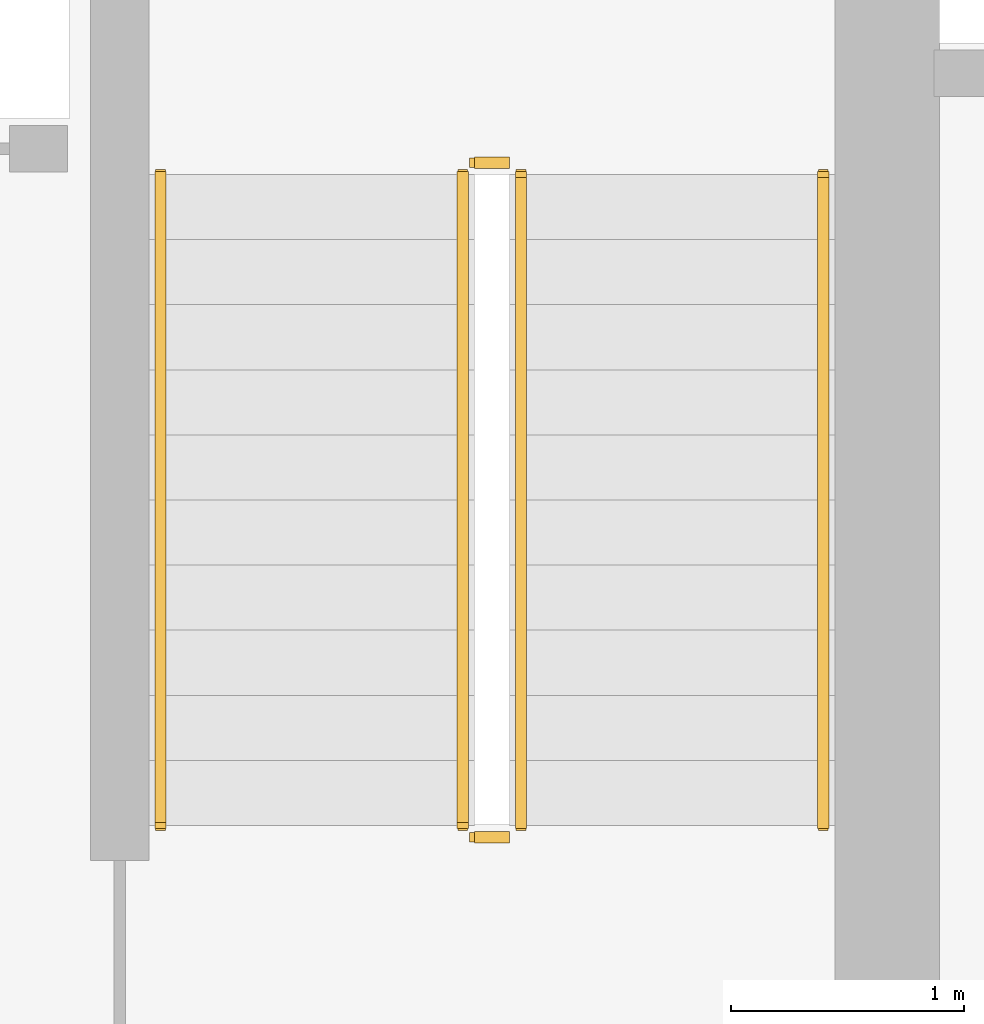
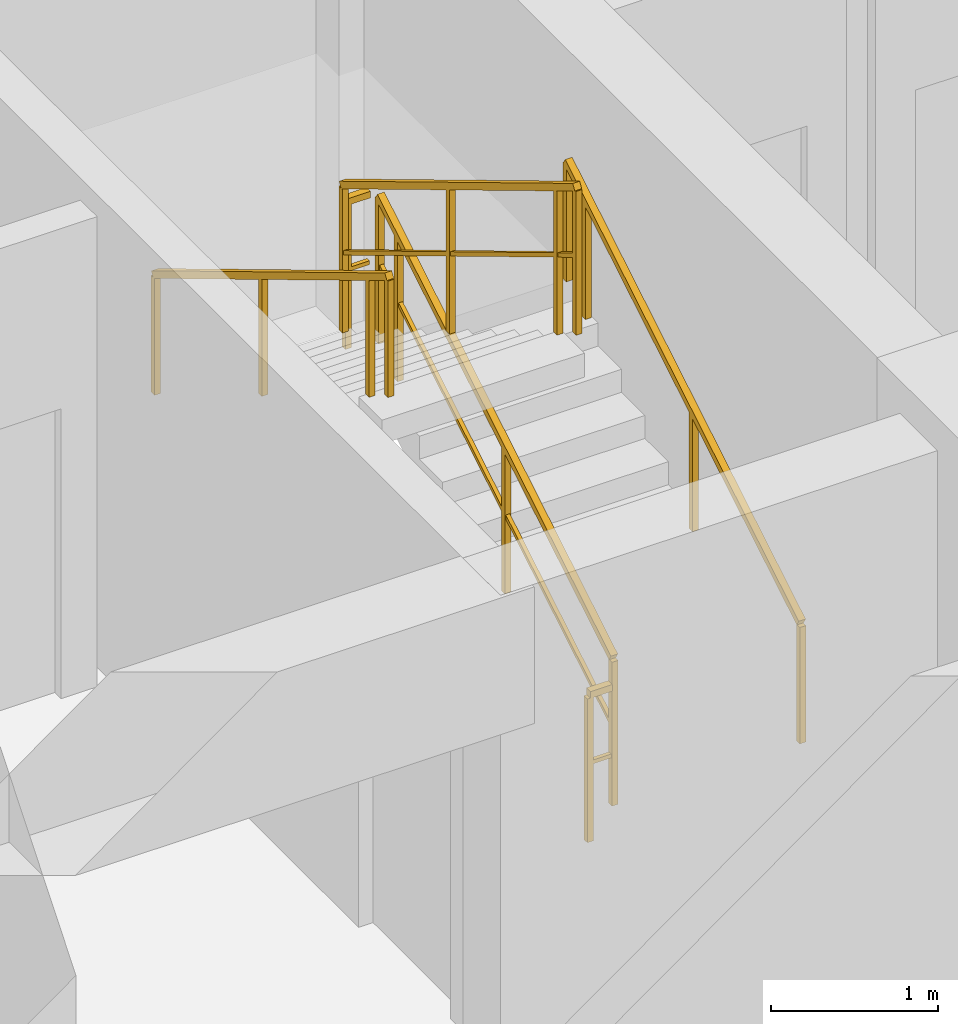
# One storey, part 12 of 13: 6 railings.
"""IFC4 building model written with IfcOpenShell, lengths in metres."""

from ifc_helpers import new_model, si_unit, direction, frame, origin, origin_2d, place, context, subcontext, project, spatial, rectangle, extrude, material, type_object, element, save


model = new_model("IFC4")

# Units and contexts
model_context = context("Model", 3, precision=1e-05, world=origin(), true_north=direction((0.0, 1.0)))
body_context = subcontext(model_context, "Body", "Model", "MODEL_VIEW")
ifc_project = project(units=[si_unit("LENGTHUNIT", "METRE"), si_unit("AREAUNIT", "SQUARE_METRE"), si_unit("VOLUMEUNIT", "CUBIC_METRE"), si_unit("PLANEANGLEUNIT", "RADIAN"), si_unit("MASSUNIT", "GRAM", prefix="KILO")], contexts=[model_context])

# Site, building, storey
site_placement = place(None, origin())
site = spatial("IfcSite", under=ifc_project, at=site_placement, CompositionType="ELEMENT")
building_placement = place(site_placement, origin())
building = spatial("IfcBuilding", under=site, at=building_placement, Name="Kaliganga Portal Commons", CompositionType="ELEMENT")
storey_placement = place(building_placement, frame((0.0, 0.0, 158.699951171875)))
storey = spatial("IfcBuildingStorey", under=building, at=storey_placement, Name="L40", CompositionType="ELEMENT", Elevation=158.699951171875)

# Railings
ifc_material_1 = material(Name="Galvanized Painted Steel Balustrade", Category="steel")
railing_type_1 = type_object("IfcRailingType", Name="RLG-STAIR-GRD", PredefinedType="GUARDRAIL", material=ifc_material_1)
railing_1_placement = place(storey_placement, frame((48.699951171875, 8.699951171875, 0.168212890625)))
element("IfcRailing", 1, at=railing_1_placement, inside=storey, type_object=railing_type_1, Name="L40 ST-B2 stair guard 1", PredefinedType="GUARDRAIL", context=body_context, shape_type="SweptSolid", body=[
    extrude(rectangle(XDim=0.048095703125, YDim=0.048095703125, at=origin_2d()), frame((0.0, 0.0, 1.072021484375), z_axis=(0.0, 0.857242210791, 0.514913383045), x_axis=(-1.0, 0.0, 0.0)), (0.0, 0.0, 1.0), 3.266357421875),
    extrude(rectangle(XDim=0.028076171875, YDim=0.028076171875, at=origin_2d()), frame((0.0, 0.0, 0.572021484375), z_axis=(0.0, 0.857242210791, 0.514913383045), x_axis=(-1.0, 0.0, 0.0)), (0.0, 0.0, 1.0), 3.266357421875),
    extrude(rectangle(XDim=0.0419921875, YDim=0.0419921875, at=origin_2d()), origin(), (0.0, 0.0, 1.0), 1.052001953125),
    extrude(rectangle(XDim=0.0419921875, YDim=0.0419921875, at=origin_2d()), frame((0.0, 1.285888671875, 0.7724609375)), (0.0, 0.0, 1.0), 1.052001953125),
    extrude(rectangle(XDim=0.0419921875, YDim=0.0419921875, at=origin_2d()), frame((0.0, 2.57177734375, 1.544677734375)), (0.0, 0.0, 1.0), 1.052001953125),
    extrude(rectangle(XDim=0.0419921875, YDim=0.0419921875, at=origin_2d()), frame((0.0, 2.800048828125, 1.681884765625)), (0.0, 0.0, 1.0), 1.052001953125),
])
railing_2_placement = place(storey_placement, frame((48.64990234375, 11.550048828125, 1.85009765625)))
element("IfcRailing", 2, at=railing_2_placement, inside=storey, type_object=railing_type_1, Name="L40 ST-B2 stair guard 2", PredefinedType="GUARDRAIL", context=body_context, shape_type="SweptSolid", body=[
    extrude(rectangle(XDim=0.048095703125, YDim=0.048095703125, at=origin_2d()), frame((0.0, 0.0, 1.076171875), z_axis=(-1.0, 0.0, 0.0), x_axis=(0.0, -1.0, 0.0)), (0.0, 0.0, 1.0), 0.14990234375),
    extrude(rectangle(XDim=0.028076171875, YDim=0.028076171875, at=origin_2d()), frame((0.0, 0.0, 0.572021484375), z_axis=(-1.0, 0.0, 0.0), x_axis=(0.0, -1.0, 0.0)), (0.0, 0.0, 1.0), 0.14990234375),
    extrude(rectangle(XDim=0.0419921875, YDim=0.0419921875, at=origin_2d()), frame((-0.14990234375, 0.0, 0.0)), (0.0, 0.0, 1.0), 1.052001953125),
])
railing_3_placement = place(storey_placement, frame((48.449951171875, 11.5, 2.018310546875)))
element("IfcRailing", 3, at=railing_3_placement, inside=storey, type_object=railing_type_1, Name="L40 ST-B2 stair guard 3", PredefinedType="GUARDRAIL", context=body_context, shape_type="SweptSolid", body=[
    extrude(rectangle(XDim=0.048095703125, YDim=0.048095703125, at=origin_2d()), frame((0.0, 0.0, 1.072021484375), z_axis=(0.0, -0.857275202839, 0.514858452973), x_axis=(1.0, 0.0, 0.0)), (0.0, 0.0, 1.0), 3.26611328125),
    extrude(rectangle(XDim=0.028076171875, YDim=0.028076171875, at=origin_2d()), frame((0.0, 0.0, 0.572021484375), z_axis=(0.0, -0.857275202839, 0.514858452973), x_axis=(1.0, 0.0, 0.0)), (0.0, 0.0, 1.0), 3.26611328125),
    extrude(rectangle(XDim=0.0419921875, YDim=0.0419921875, at=origin_2d()), origin(), (0.0, 0.0, 1.0), 1.052001953125),
    extrude(rectangle(XDim=0.0419921875, YDim=0.0419921875, at=origin_2d()), frame((0.0, -1.285888671875, 0.772216796875)), (0.0, 0.0, 1.0), 1.052001953125),
    extrude(rectangle(XDim=0.0419921875, YDim=0.0419921875, at=origin_2d()), frame((0.0, -2.57177734375, 1.544677734375)), (0.0, 0.0, 1.0), 1.052001953125),
    extrude(rectangle(XDim=0.0419921875, YDim=0.0419921875, at=origin_2d()), frame((0.0, -2.800048828125, 1.681640625)), (0.0, 0.0, 1.0), 1.052001953125),
])
railing_4_placement = place(storey_placement, frame((48.64990234375, 8.64990234375, 0.0)))
element("IfcRailing", 4, at=railing_4_placement, inside=storey, type_object=railing_type_1, Name="L40 ST-B2 stair guard 4", PredefinedType="GUARDRAIL", context=body_context, shape_type="SweptSolid", body=[
    extrude(rectangle(XDim=0.048095703125, YDim=0.048095703125, at=origin_2d()), frame((0.0, 0.0, 1.076171875), z_axis=(-1.0, 0.0, 0.0), x_axis=(0.0, -1.0, 0.0)), (0.0, 0.0, 1.0), 0.14990234375),
    extrude(rectangle(XDim=0.028076171875, YDim=0.028076171875, at=origin_2d()), frame((0.0, 0.0, 0.572021484375), z_axis=(-1.0, 0.0, 0.0), x_axis=(0.0, -1.0, 0.0)), (0.0, 0.0, 1.0), 0.14990234375),
    extrude(rectangle(XDim=0.0419921875, YDim=0.0419921875, at=origin_2d()), frame((-0.14990234375, 0.0, 0.0)), (0.0, 0.0, 1.0), 1.052001953125),
])
ifc_material_2 = material(Name="Brushed Stainless Steel 316", Category="steel")
railing_type_2 = type_object("IfcRailingType", Name="RLG-STAIR-HR", PredefinedType="HANDRAIL", material=ifc_material_2)
railing_5_placement = place(storey_placement, frame((50.0, 8.699951171875, 0.168212890625)))
element("IfcRailing", 5, at=railing_5_placement, inside=storey, type_object=railing_type_2, Name="L40 ST-B2 stair handrail 1", PredefinedType="HANDRAIL", context=body_context, shape_type="SweptSolid", body=[
    extrude(rectangle(XDim=0.048095703125, YDim=0.048095703125, at=origin_2d()), frame((0.0, 0.0, 0.871826171875), z_axis=(0.0, 0.857242210791, 0.514913383045), x_axis=(-1.0, 0.0, 0.0)), (0.0, 0.0, 1.0), 3.266357421875),
    extrude(rectangle(XDim=0.0419921875, YDim=0.0419921875, at=origin_2d()), origin(), (0.0, 0.0, 1.0), 0.851806640625),
    extrude(rectangle(XDim=0.0419921875, YDim=0.0419921875, at=origin_2d()), frame((0.0, 1.285888671875, 0.7724609375)), (0.0, 0.0, 1.0), 0.851806640625),
    extrude(rectangle(XDim=0.0419921875, YDim=0.0419921875, at=origin_2d()), frame((0.0, 2.57177734375, 1.544677734375)), (0.0, 0.0, 1.0), 0.851806640625),
    extrude(rectangle(XDim=0.0419921875, YDim=0.0419921875, at=origin_2d()), frame((0.0, 2.800048828125, 1.681884765625)), (0.0, 0.0, 1.0), 0.851806640625),
])
railing_6_placement = place(storey_placement, frame((47.14990234375, 11.5, 2.018310546875)))
element("IfcRailing", 6, at=railing_6_placement, inside=storey, type_object=railing_type_2, Name="L40 ST-B2 stair handrail 2", PredefinedType="HANDRAIL", context=body_context, shape_type="SweptSolid", body=[
    extrude(rectangle(XDim=0.048095703125, YDim=0.048095703125, at=origin_2d()), frame((0.0, 0.0, 0.871826171875), z_axis=(0.0, -0.857275202839, 0.514858452973), x_axis=(1.0, 0.0, 0.0)), (0.0, 0.0, 1.0), 3.26611328125),
    extrude(rectangle(XDim=0.0419921875, YDim=0.0419921875, at=origin_2d()), origin(), (0.0, 0.0, 1.0), 0.851806640625),
    extrude(rectangle(XDim=0.0419921875, YDim=0.0419921875, at=origin_2d()), frame((0.0, -1.285888671875, 0.772216796875)), (0.0, 0.0, 1.0), 0.851806640625),
    extrude(rectangle(XDim=0.0419921875, YDim=0.0419921875, at=origin_2d()), frame((0.0, -2.57177734375, 1.544677734375)), (0.0, 0.0, 1.0), 0.851806640625),
    extrude(rectangle(XDim=0.0419921875, YDim=0.0419921875, at=origin_2d()), frame((0.0, -2.800048828125, 1.681640625)), (0.0, 0.0, 1.0), 0.851806640625),
])

save(model, "model.ifc")
